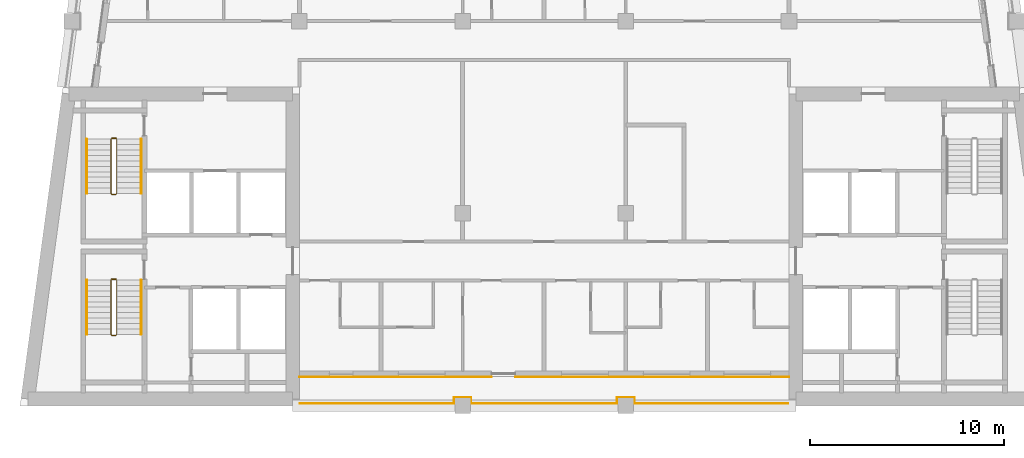
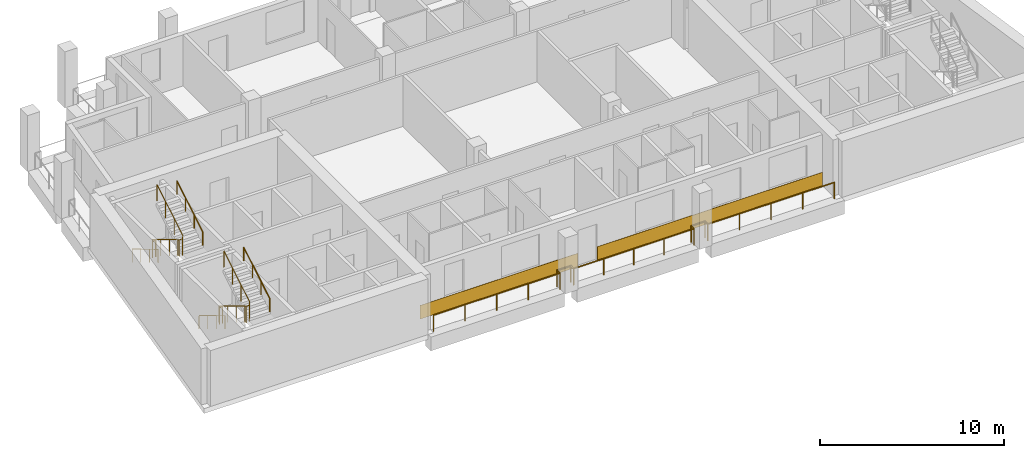
# One storey, part 7 of 10: 9 railings, 2 coverings.
"""IFC4 building model written with IfcOpenShell, lengths in metres."""

from ifc_helpers import new_model, si_unit, direction, frame, origin, origin_2d, place, context, subcontext, project, spatial, rectangle, circle, extrude, material, layer, layer_set, type_object, element, save


model = new_model("IFC4")

# Units and contexts
model_context = context("Model", 3, precision=1e-05, world=origin(), true_north=direction((0.0, 1.0)))
body_context = subcontext(model_context, "Body", "Model", "MODEL_VIEW")
ifc_project = project(units=[si_unit("LENGTHUNIT", "METRE"), si_unit("AREAUNIT", "SQUARE_METRE"), si_unit("VOLUMEUNIT", "CUBIC_METRE"), si_unit("PLANEANGLEUNIT", "RADIAN"), si_unit("MASSUNIT", "GRAM", prefix="KILO")], contexts=[model_context])

# Site, building, storey
site_placement = place(None, origin())
site = spatial("IfcSite", under=ifc_project, at=site_placement, CompositionType="ELEMENT")
building_placement = place(site_placement, origin())
building = spatial("IfcBuilding", under=site, at=building_placement, Name="Candeia Pilgrim Tower and Theatre", CompositionType="ELEMENT")
storey_placement = place(building_placement, frame((0.0, 0.0, 288.60009765625)))
storey = spatial("IfcBuildingStorey", under=building, at=storey_placement, Name="L70", CompositionType="ELEMENT", Elevation=288.60009765625)

# Railing
ifc_material_1 = material(Name="Stainless steel balustrade", Category="steel")
railing_type_1 = type_object("IfcRailingType", Name="G1 loggia guard 1100", PredefinedType="GUARDRAIL", material=ifc_material_1)
railing_1_placement = place(storey_placement, frame((125.949951171875, 116.1201171875, 0.0)))
element("IfcRailing", 1, at=railing_1_placement, inside=storey, type_object=railing_type_1, Name="Guard L70.3", PredefinedType="GUARDRAIL", context=body_context, shape_type="SweptSolid", body=[
    extrude(circle(Radius=0.02392578125, at=origin_2d()), frame((0.0, 0.0, 1.076171875), z_axis=(-1.0, 0.0, 0.0), x_axis=(0.0, -1.0, 0.0)), (0.0, 0.0, 1.0), 7.919921875),
    extrude(circle(Radius=0.02392578125, at=origin_2d()), frame((-7.919921875, 0.0, 1.076171875), z_axis=(0.0, 1.0, 0.0), x_axis=(-1.0, 0.0, 0.0)), (0.0, 0.0, 1.0), 0.309814453125),
    extrude(circle(Radius=0.02392578125, at=origin_2d()), frame((-7.919921875, 0.309814453125, 1.076171875), z_axis=(-1.0, 0.0, 0.0), x_axis=(0.0, -1.0, 0.0)), (0.0, 0.0, 1.0), 0.860107421875),
    extrude(circle(Radius=0.02392578125, at=origin_2d()), frame((-8.780029296875, 0.309814453125, 1.076171875), z_axis=(0.0, -1.0, 0.0), x_axis=(1.0, 0.0, 0.0)), (0.0, 0.0, 1.0), 0.309814453125),
    extrude(circle(Radius=0.02392578125, at=origin_2d()), frame((-8.780029296875, 0.0, 1.076171875), z_axis=(-1.0, 0.0, 0.0), x_axis=(0.0, -1.0, 0.0)), (0.0, 0.0, 1.0), 7.5400390625),
    extrude(circle(Radius=0.02392578125, at=origin_2d()), frame((-16.320068359375, 0.0, 1.076171875), z_axis=(0.0, 1.0, 0.0), x_axis=(-1.0, 0.0, 0.0)), (0.0, 0.0, 1.0), 0.309814453125),
    extrude(circle(Radius=0.02392578125, at=origin_2d()), frame((-16.320068359375, 0.309814453125, 1.076171875), z_axis=(-1.0, 0.0, 0.0), x_axis=(0.0, -1.0, 0.0)), (0.0, 0.0, 1.0), 0.85986328125),
    extrude(circle(Radius=0.02392578125, at=origin_2d()), frame((-17.179931640625, 0.309814453125, 1.076171875), z_axis=(0.0, -1.0, 0.0), x_axis=(1.0, 0.0, 0.0)), (0.0, 0.0, 1.0), 0.309814453125),
    extrude(circle(Radius=0.02392578125, at=origin_2d()), frame((-17.179931640625, 0.0, 1.076171875), z_axis=(-1.0, 0.0, 0.0), x_axis=(0.0, -1.0, 0.0)), (0.0, 0.0, 1.0), 7.919921875),
    extrude(circle(Radius=0.02099609375, at=origin_2d()), origin(), (0.0, 0.0, 1.0), 1.052001953125),
    extrude(circle(Radius=0.02099609375, at=origin_2d()), frame((-1.97998046875, 0.0, 0.0)), (0.0, 0.0, 1.0), 1.052001953125),
    extrude(circle(Radius=0.02099609375, at=origin_2d()), frame((-3.9599609375, 0.0, 0.0)), (0.0, 0.0, 1.0), 1.052001953125),
    extrude(circle(Radius=0.02099609375, at=origin_2d()), frame((-5.93994140625, 0.0, 0.0)), (0.0, 0.0, 1.0), 1.052001953125),
    extrude(circle(Radius=0.02099609375, at=origin_2d()), frame((-7.919921875, 0.0, 0.0)), (0.0, 0.0, 1.0), 1.052001953125),
    extrude(circle(Radius=0.02099609375, at=origin_2d()), frame((-7.919921875, 0.309814453125, 0.0)), (0.0, 0.0, 1.0), 1.052001953125),
    extrude(circle(Radius=0.02099609375, at=origin_2d()), frame((-8.780029296875, 0.309814453125, 0.0)), (0.0, 0.0, 1.0), 1.052001953125),
    extrude(circle(Radius=0.02099609375, at=origin_2d()), frame((-8.780029296875, 0.0, 0.0)), (0.0, 0.0, 1.0), 1.052001953125),
    extrude(circle(Radius=0.02099609375, at=origin_2d()), frame((-10.6650390625, 0.0, 0.0)), (0.0, 0.0, 1.0), 1.052001953125),
    extrude(circle(Radius=0.02099609375, at=origin_2d()), frame((-12.550048828125, 0.0, 0.0)), (0.0, 0.0, 1.0), 1.052001953125),
    extrude(circle(Radius=0.02099609375, at=origin_2d()), frame((-14.43505859375, 0.0, 0.0)), (0.0, 0.0, 1.0), 1.052001953125),
    extrude(circle(Radius=0.02099609375, at=origin_2d()), frame((-16.320068359375, 0.0, 0.0)), (0.0, 0.0, 1.0), 1.052001953125),
    extrude(circle(Radius=0.02099609375, at=origin_2d()), frame((-16.320068359375, 0.309814453125, 0.0)), (0.0, 0.0, 1.0), 1.052001953125),
    extrude(circle(Radius=0.02099609375, at=origin_2d()), frame((-17.179931640625, 0.309814453125, 0.0)), (0.0, 0.0, 1.0), 1.052001953125),
    extrude(circle(Radius=0.02099609375, at=origin_2d()), frame((-17.179931640625, 0.0, 0.0)), (0.0, 0.0, 1.0), 1.052001953125),
    extrude(circle(Radius=0.02099609375, at=origin_2d()), frame((-19.159912109375, 0.0, 0.0)), (0.0, 0.0, 1.0), 1.052001953125),
    extrude(circle(Radius=0.02099609375, at=origin_2d()), frame((-21.139892578125, 0.0, 0.0)), (0.0, 0.0, 1.0), 1.052001953125),
    extrude(circle(Radius=0.02099609375, at=origin_2d()), frame((-23.119873046875, 0.0, 0.0)), (0.0, 0.0, 1.0), 1.052001953125),
    extrude(circle(Radius=0.02099609375, at=origin_2d()), frame((-25.099853515625, 0.0, 0.0)), (0.0, 0.0, 1.0), 1.052001953125),
])

# Coverings
ifc_material_2 = material(Name="Glazed ceramic tile bottle green")
ifc_layer = layer(ifc_material_2, 0.02001953125)
ifc_layer_set = layer_set([ifc_layer], Name="Glazed ceramic tile bottle green")
covering_type = type_object("IfcCoveringType", Name="Glazed ceramic tile bottle green", PredefinedType="CLADDING", material=ifc_layer_set)
covering_1_placement = place(storey_placement, frame((105.75, 117.489990234375, 0.0), z_axis=(0.0, 0.0, 1.0), x_axis=(1.0, 0.0, 0.0)))
element("IfcCovering", 2, at=covering_1_placement, inside=storey, type_object=covering_type, Name="Tile cladding bottle green L70", PredefinedType="CLADDING", context=body_context, shape_type="SweptSolid", body=[
    extrude(rectangle(XDim=9.89990234375, YDim=0.02001953125, at=origin_2d()), origin(), (0.0, 0.0, 1.0), 0.89990234375),
])
covering_2_placement = place(storey_placement, frame((118.949951171875, 117.489990234375, 0.0), z_axis=(0.0, 0.0, 1.0), x_axis=(1.0, 0.0, 0.0)))
element("IfcCovering", 3, at=covering_2_placement, inside=storey, type_object=covering_type, Name="Tile cladding bottle green L70", PredefinedType="CLADDING", context=body_context, shape_type="SweptSolid", body=[
    extrude(rectangle(XDim=14.10009765625, YDim=0.02001953125, at=origin_2d()), origin(), (0.0, 0.0, 1.0), 0.89990234375),
])

# Railings
railing_type_2 = type_object("IfcRailingType", Name="RL-GUARD-1100", PredefinedType="GUARDRAIL", material=ifc_material_1)
railing_2_placement = place(storey_placement, frame((91.10205078125, 122.47509765625, 0.16796875)))
element("IfcRailing", 4, at=railing_2_placement, inside=storey, type_object=railing_type_2, Name="L70 ST1 stair guard 1", PredefinedType="GUARDRAIL", context=body_context, shape_type="SweptSolid", body=[
    extrude(circle(Radius=0.02392578125, at=origin_2d()), frame((0.0, 0.0, 1.076171875), z_axis=(0.0, -0.857242210791, 0.514913383045), x_axis=(1.0, 0.0, 0.0)), (0.0, 0.0, 1.0), 3.266357421875),
    extrude(circle(Radius=0.02392578125, at=origin_2d()), frame((0.0, -2.800048828125, 2.7578125), z_axis=(0.707106781187, -0.707106781187, 0.0), x_axis=(0.707106781187, 0.707106781187, 0.0)), (0.0, 0.0, 1.0), 0.07080078125),
    extrude(circle(Radius=0.02392578125, at=origin_2d()), frame((0.050048828125, -2.85009765625, 2.7578125), z_axis=(1.0, 0.0, 0.0), x_axis=(0.0, 1.0, 0.0)), (0.0, 0.0, 1.0), 0.199951171875),
    extrude(circle(Radius=0.02392578125, at=origin_2d()), frame((0.25, -2.85009765625, 2.7578125), z_axis=(0.274243871929, 0.274243871929, 0.92172696468), x_axis=(-0.707106781187, 0.707106781187, 0.0)), (0.0, 0.0, 1.0), 0.1826171875),
    extrude(circle(Radius=0.02392578125, at=origin_2d()), frame((0.300048828125, -2.800048828125, 2.92626953125), z_axis=(0.0, 0.857242210791, 0.514913383045), x_axis=(-1.0, 0.0, 0.0)), (0.0, 0.0, 1.0), 3.266357421875),
    extrude(circle(Radius=0.02099609375, at=origin_2d()), origin(), (0.0, 0.0, 1.0), 1.052001953125),
    extrude(circle(Radius=0.02099609375, at=origin_2d()), frame((0.0, -0.933349609375, 0.560546875)), (0.0, 0.0, 1.0), 1.052001953125),
    extrude(circle(Radius=0.02099609375, at=origin_2d()), frame((0.0, -1.86669921875, 1.121337890625)), (0.0, 0.0, 1.0), 1.052001953125),
    extrude(circle(Radius=0.02099609375, at=origin_2d()), frame((0.0, -2.800048828125, 1.681884765625)), (0.0, 0.0, 1.0), 1.052001953125),
    extrude(circle(Radius=0.02099609375, at=origin_2d()), frame((0.050048828125, -2.85009765625, 1.681884765625)), (0.0, 0.0, 1.0), 1.052001953125),
    extrude(circle(Radius=0.02099609375, at=origin_2d()), frame((0.25, -2.85009765625, 1.681884765625)), (0.0, 0.0, 1.0), 1.052001953125),
    extrude(circle(Radius=0.02099609375, at=origin_2d()), frame((0.300048828125, -2.800048828125, 1.85009765625)), (0.0, 0.0, 1.0), 1.052001953125),
    extrude(circle(Radius=0.02099609375, at=origin_2d()), frame((0.300048828125, -1.86669921875, 2.41064453125)), (0.0, 0.0, 1.0), 1.052001953125),
    extrude(circle(Radius=0.02099609375, at=origin_2d()), frame((0.300048828125, -0.933349609375, 2.971435546875)), (0.0, 0.0, 1.0), 1.052001953125),
    extrude(circle(Radius=0.02099609375, at=origin_2d()), frame((0.300048828125, 0.0, 3.531982421875)), (0.0, 0.0, 1.0), 1.052001953125),
])
railing_3_placement = place(storey_placement, frame((91.152099609375, 122.52490234375, 0.0)))
element("IfcRailing", 5, at=railing_3_placement, inside=storey, type_object=railing_type_2, Name="L70 ST1 stair guard 2", PredefinedType="GUARDRAIL", context=body_context, shape_type="SweptSolid", body=[
    extrude(circle(Radius=0.02392578125, at=origin_2d()), frame((0.0, 0.0, 1.076171875), z_axis=(1.0, 0.0, 0.0), x_axis=(0.0, 1.0, 0.0)), (0.0, 0.0, 1.0), 0.199951171875),
    extrude(circle(Radius=0.02099609375, at=origin_2d()), origin(), (0.0, 0.0, 1.0), 1.052001953125),
    extrude(circle(Radius=0.02099609375, at=origin_2d()), frame((0.199951171875, 0.0, 0.0)), (0.0, 0.0, 1.0), 1.052001953125),
])
railing_4_placement = place(storey_placement, frame((91.10205078125, 129.72509765625, 0.16796875)))
element("IfcRailing", 6, at=railing_4_placement, inside=storey, type_object=railing_type_2, Name="L70 ST2 stair guard 1", PredefinedType="GUARDRAIL", context=body_context, shape_type="SweptSolid", body=[
    extrude(circle(Radius=0.02392578125, at=origin_2d()), frame((0.0, 0.0, 1.076171875), z_axis=(0.0, -0.857242210791, 0.514913383045), x_axis=(1.0, 0.0, 0.0)), (0.0, 0.0, 1.0), 3.266357421875),
    extrude(circle(Radius=0.02392578125, at=origin_2d()), frame((0.0, -2.800048828125, 2.7578125), z_axis=(0.707106781187, -0.707106781187, 0.0), x_axis=(0.707106781187, 0.707106781187, 0.0)), (0.0, 0.0, 1.0), 0.07080078125),
    extrude(circle(Radius=0.02392578125, at=origin_2d()), frame((0.050048828125, -2.85009765625, 2.7578125), z_axis=(1.0, 0.0, 0.0), x_axis=(0.0, 1.0, 0.0)), (0.0, 0.0, 1.0), 0.199951171875),
    extrude(circle(Radius=0.02392578125, at=origin_2d()), frame((0.25, -2.85009765625, 2.7578125), z_axis=(0.274243871929, 0.274243871929, 0.92172696468), x_axis=(-0.707106781187, 0.707106781187, 0.0)), (0.0, 0.0, 1.0), 0.1826171875),
    extrude(circle(Radius=0.02392578125, at=origin_2d()), frame((0.300048828125, -2.800048828125, 2.92626953125), z_axis=(0.0, 0.857242210791, 0.514913383045), x_axis=(-1.0, 0.0, 0.0)), (0.0, 0.0, 1.0), 3.266357421875),
    extrude(circle(Radius=0.02099609375, at=origin_2d()), origin(), (0.0, 0.0, 1.0), 1.052001953125),
    extrude(circle(Radius=0.02099609375, at=origin_2d()), frame((0.0, -0.933349609375, 0.560546875)), (0.0, 0.0, 1.0), 1.052001953125),
    extrude(circle(Radius=0.02099609375, at=origin_2d()), frame((0.0, -1.86669921875, 1.121337890625)), (0.0, 0.0, 1.0), 1.052001953125),
    extrude(circle(Radius=0.02099609375, at=origin_2d()), frame((0.0, -2.800048828125, 1.681884765625)), (0.0, 0.0, 1.0), 1.052001953125),
    extrude(circle(Radius=0.02099609375, at=origin_2d()), frame((0.050048828125, -2.85009765625, 1.681884765625)), (0.0, 0.0, 1.0), 1.052001953125),
    extrude(circle(Radius=0.02099609375, at=origin_2d()), frame((0.25, -2.85009765625, 1.681884765625)), (0.0, 0.0, 1.0), 1.052001953125),
    extrude(circle(Radius=0.02099609375, at=origin_2d()), frame((0.300048828125, -2.800048828125, 1.85009765625)), (0.0, 0.0, 1.0), 1.052001953125),
    extrude(circle(Radius=0.02099609375, at=origin_2d()), frame((0.300048828125, -1.86669921875, 2.41064453125)), (0.0, 0.0, 1.0), 1.052001953125),
    extrude(circle(Radius=0.02099609375, at=origin_2d()), frame((0.300048828125, -0.933349609375, 2.971435546875)), (0.0, 0.0, 1.0), 1.052001953125),
    extrude(circle(Radius=0.02099609375, at=origin_2d()), frame((0.300048828125, 0.0, 3.531982421875)), (0.0, 0.0, 1.0), 1.052001953125),
])
railing_5_placement = place(storey_placement, frame((91.152099609375, 129.77490234375, 0.0)))
element("IfcRailing", 7, at=railing_5_placement, inside=storey, type_object=railing_type_2, Name="L70 ST2 stair guard 2", PredefinedType="GUARDRAIL", context=body_context, shape_type="SweptSolid", body=[
    extrude(circle(Radius=0.02392578125, at=origin_2d()), frame((0.0, 0.0, 1.076171875), z_axis=(1.0, 0.0, 0.0), x_axis=(0.0, 1.0, 0.0)), (0.0, 0.0, 1.0), 0.199951171875),
    extrude(circle(Radius=0.02099609375, at=origin_2d()), origin(), (0.0, 0.0, 1.0), 1.052001953125),
    extrude(circle(Radius=0.02099609375, at=origin_2d()), frame((0.199951171875, 0.0, 0.0)), (0.0, 0.0, 1.0), 1.052001953125),
])
ifc_material_3 = material(Name="Stainless steel handrail", Category="steel")
railing_type_3 = type_object("IfcRailingType", Name="RL-HANDRAIL-900", PredefinedType="HANDRAIL", material=ifc_material_3)
railing_6_placement = place(storey_placement, frame((89.85205078125, 122.47509765625, 0.16796875)))
element("IfcRailing", 8, at=railing_6_placement, inside=storey, type_object=railing_type_3, Name="L70 ST1 stair handrail 1", PredefinedType="HANDRAIL", context=body_context, shape_type="SweptSolid", body=[
    extrude(circle(Radius=0.02392578125, at=origin_2d()), frame((0.0, 0.0, 0.8759765625), z_axis=(0.0, -0.857242210791, 0.514913383045), x_axis=(1.0, 0.0, 0.0)), (0.0, 0.0, 1.0), 3.266357421875),
    extrude(circle(Radius=0.02099609375, at=origin_2d()), origin(), (0.0, 0.0, 1.0), 0.851806640625),
    extrude(circle(Radius=0.02099609375, at=origin_2d()), frame((0.0, -0.933349609375, 0.560546875)), (0.0, 0.0, 1.0), 0.851806640625),
    extrude(circle(Radius=0.02099609375, at=origin_2d()), frame((0.0, -1.86669921875, 1.121337890625)), (0.0, 0.0, 1.0), 0.851806640625),
    extrude(circle(Radius=0.02099609375, at=origin_2d()), frame((0.0, -2.800048828125, 1.681884765625)), (0.0, 0.0, 1.0), 0.851806640625),
])
railing_7_placement = place(storey_placement, frame((92.652099609375, 119.675048828125, 2.01806640625)))
element("IfcRailing", 9, at=railing_7_placement, inside=storey, type_object=railing_type_3, Name="L70 ST1 stair handrail 2", PredefinedType="HANDRAIL", context=body_context, shape_type="SweptSolid", body=[
    extrude(circle(Radius=0.02392578125, at=origin_2d()), frame((0.0, 0.0, 0.8759765625), z_axis=(0.0, 0.857242210791, 0.514913383045), x_axis=(-1.0, 0.0, 0.0)), (0.0, 0.0, 1.0), 3.266357421875),
    extrude(circle(Radius=0.02099609375, at=origin_2d()), origin(), (0.0, 0.0, 1.0), 0.851806640625),
    extrude(circle(Radius=0.02099609375, at=origin_2d()), frame((0.0, 0.933349609375, 0.560546875)), (0.0, 0.0, 1.0), 0.851806640625),
    extrude(circle(Radius=0.02099609375, at=origin_2d()), frame((0.0, 1.86669921875, 1.121337890625)), (0.0, 0.0, 1.0), 0.851806640625),
    extrude(circle(Radius=0.02099609375, at=origin_2d()), frame((0.0, 2.800048828125, 1.681884765625)), (0.0, 0.0, 1.0), 0.851806640625),
])
railing_8_placement = place(storey_placement, frame((89.85205078125, 129.72509765625, 0.16796875)))
element("IfcRailing", 10, at=railing_8_placement, inside=storey, type_object=railing_type_3, Name="L70 ST2 stair handrail 1", PredefinedType="HANDRAIL", context=body_context, shape_type="SweptSolid", body=[
    extrude(circle(Radius=0.02392578125, at=origin_2d()), frame((0.0, 0.0, 0.8759765625), z_axis=(0.0, -0.857242210791, 0.514913383045), x_axis=(1.0, 0.0, 0.0)), (0.0, 0.0, 1.0), 3.266357421875),
    extrude(circle(Radius=0.02099609375, at=origin_2d()), origin(), (0.0, 0.0, 1.0), 0.851806640625),
    extrude(circle(Radius=0.02099609375, at=origin_2d()), frame((0.0, -0.933349609375, 0.560546875)), (0.0, 0.0, 1.0), 0.851806640625),
    extrude(circle(Radius=0.02099609375, at=origin_2d()), frame((0.0, -1.86669921875, 1.121337890625)), (0.0, 0.0, 1.0), 0.851806640625),
    extrude(circle(Radius=0.02099609375, at=origin_2d()), frame((0.0, -2.800048828125, 1.681884765625)), (0.0, 0.0, 1.0), 0.851806640625),
])
railing_9_placement = place(storey_placement, frame((92.652099609375, 126.925048828125, 2.01806640625)))
element("IfcRailing", 11, at=railing_9_placement, inside=storey, type_object=railing_type_3, Name="L70 ST2 stair handrail 2", PredefinedType="HANDRAIL", context=body_context, shape_type="SweptSolid", body=[
    extrude(circle(Radius=0.02392578125, at=origin_2d()), frame((0.0, 0.0, 0.8759765625), z_axis=(0.0, 0.857242210791, 0.514913383045), x_axis=(-1.0, 0.0, 0.0)), (0.0, 0.0, 1.0), 3.266357421875),
    extrude(circle(Radius=0.02099609375, at=origin_2d()), origin(), (0.0, 0.0, 1.0), 0.851806640625),
    extrude(circle(Radius=0.02099609375, at=origin_2d()), frame((0.0, 0.933349609375, 0.560546875)), (0.0, 0.0, 1.0), 0.851806640625),
    extrude(circle(Radius=0.02099609375, at=origin_2d()), frame((0.0, 1.86669921875, 1.121337890625)), (0.0, 0.0, 1.0), 0.851806640625),
    extrude(circle(Radius=0.02099609375, at=origin_2d()), frame((0.0, 2.800048828125, 1.681884765625)), (0.0, 0.0, 1.0), 0.851806640625),
])

save(model, "model.ifc")
